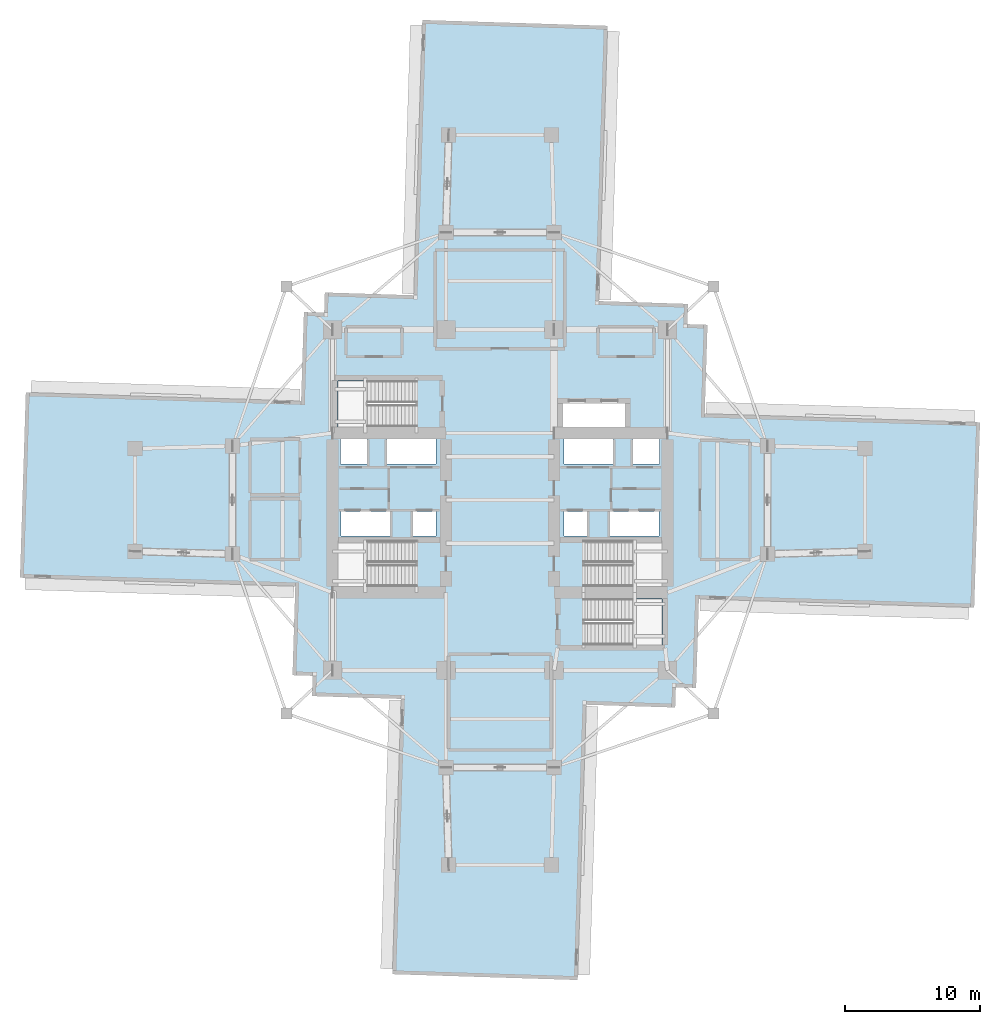
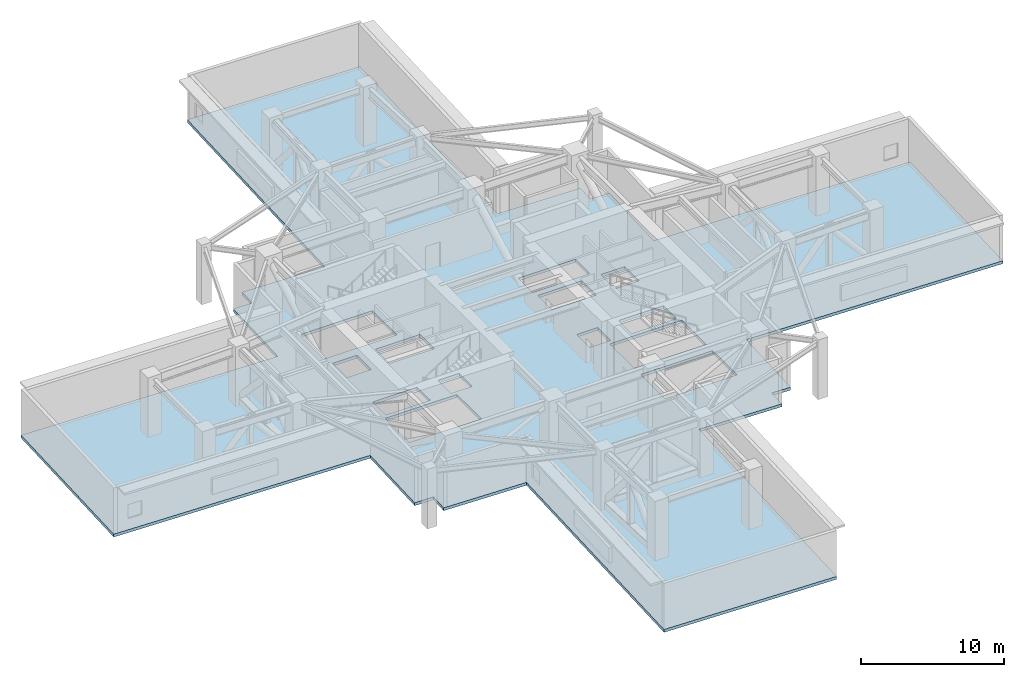
# One storey, part 7 of 17: 1 slab.
"""IFC4 building model written with IfcOpenShell, lengths in metres."""

from ifc_helpers import new_model, si_unit, direction, frame, origin, place, context, subcontext, project, spatial, polyline, outline, extrude, material, layer, layer_set, type_object, element, save


model = new_model("IFC4")

# Units and contexts
model_context = context("Model", 3, precision=1e-05, world=origin(), true_north=direction((0.0, 1.0)))
body_context = subcontext(model_context, "Body", "Model", "MODEL_VIEW")
ifc_project = project(units=[si_unit("LENGTHUNIT", "METRE"), si_unit("AREAUNIT", "SQUARE_METRE"), si_unit("VOLUMEUNIT", "CUBIC_METRE"), si_unit("PLANEANGLEUNIT", "RADIAN"), si_unit("MASSUNIT", "GRAM", prefix="KILO")], contexts=[model_context])

# Site, building, storey
site_placement = place(None, origin())
site = spatial("IfcSite", under=ifc_project, at=site_placement, CompositionType="ELEMENT")
building_placement = place(site_placement, origin())
building = spatial("IfcBuilding", under=site, at=building_placement, Name="Qingluan Cross Belvedere", CompositionType="ELEMENT")
storey_placement = place(building_placement, frame((0.0, 0.0, 95.10009765625)))
storey = spatial("IfcBuildingStorey", under=building, at=storey_placement, Name="L24", CompositionType="ELEMENT", Elevation=95.10009765625)

# Slab
ifc_material = material(Name="Concrete C40", Category="concrete")
ifc_layer = layer(ifc_material, 0.25, Name="FloorSlab_250")
ifc_layer_set = layer_set([ifc_layer], Name="Concrete C40")
slab_type = type_object("IfcSlabType", Name="FloorSlab_250", PredefinedType="FLOOR", material=ifc_layer_set)
slab_placement = place(storey_placement, frame((0.0, 0.0, -0.25)))
element("IfcSlab", 1, at=slab_placement, inside=storey, type_object=slab_type, Name="Structural floor slab L24", PredefinedType="FLOOR", context=body_context, shape_type="SweptSolid", body=[
    extrude(outline(polyline([(5.747314453125, -35.51806640625), (6.38720703125, -15.148193359375), (12.964111328125, -15.354736328125), (13.01123046875, -13.85546875), (14.510498046875, -13.902587890625), (14.71728515625, -7.325927734375), (35.087158203125, -7.966064453125), (35.51806640625, 5.747314453125), (15.148193359375, 6.38720703125), (15.354736328125, 12.964111328125), (13.85546875, 13.01123046875), (13.902587890625, 14.510498046875), (7.325927734375, 14.71728515625), (7.966064453125, 35.087158203125), (-5.747314453125, 35.51806640625), (-6.38720703125, 15.148193359375), (-12.964111328125, 15.354736328125), (-13.01123046875, 13.85546875), (-14.510498046875, 13.902587890625), (-14.71728515625, 7.325927734375), (-35.087158203125, 7.966064453125), (-35.51806640625, -5.747314453125), (-15.148193359375, -6.38720703125), (-15.354736328125, -12.964111328125), (-13.85546875, -13.01123046875), (-13.902587890625, -14.510498046875), (-7.325927734375, -14.71728515625), (-7.966064453125, -35.087158203125), (5.747314453125, -35.51806640625)]), holes=[polyline([(-12.0, -3.0), (-6.179931640625, -3.0), (-6.179931640625, -6.39990234375), (-12.0, -6.39990234375), (-12.0, -3.0)]), polyline([(6.179931640625, -3.0), (12.0, -3.0), (12.0, -6.39990234375), (6.179931640625, -6.39990234375), (6.179931640625, -3.0)]), polyline([(-12.0, 8.820068359375), (-6.179931640625, 8.820068359375), (-6.179931640625, 5.419921875), (-12.0, 5.419921875), (-12.0, 8.820068359375)]), polyline([(6.179931640625, -7.320068359375), (12.0, -7.320068359375), (12.0, -10.719970703125), (6.179931640625, -10.719970703125), (6.179931640625, -7.320068359375)]), polyline([(-11.800048828125, 4.64990234375), (-9.85009765625, 4.64990234375), (-9.85009765625, 2.64990234375), (-11.800048828125, 2.64990234375), (-11.800048828125, 4.64990234375)]), polyline([(-8.35009765625, 4.64990234375), (-4.75, 4.64990234375), (-4.75, 2.64990234375), (-8.35009765625, 2.64990234375), (-8.35009765625, 4.64990234375)]), polyline([(4.75, 4.64990234375), (8.35009765625, 4.64990234375), (8.35009765625, 2.64990234375), (4.75, 2.64990234375), (4.75, 4.64990234375)]), polyline([(9.85009765625, 4.64990234375), (11.800048828125, 4.64990234375), (11.800048828125, 2.64990234375), (9.85009765625, 2.64990234375), (9.85009765625, 4.64990234375)]), polyline([(-11.75, -0.840087890625), (-8.14990234375, -0.840087890625), (-8.14990234375, -2.659912109375), (-11.75, -2.659912109375), (-11.75, -0.840087890625)]), polyline([(-6.449951171875, -0.840087890625), (-4.75, -0.840087890625), (-4.75, -2.659912109375), (-6.449951171875, -2.659912109375), (-6.449951171875, -0.840087890625)]), polyline([(4.75, -0.840087890625), (6.449951171875, -0.840087890625), (6.449951171875, -2.659912109375), (4.75, -2.659912109375), (4.75, -0.840087890625)]), polyline([(8.14990234375, -0.840087890625), (11.75, -0.840087890625), (11.75, -2.659912109375), (8.14990234375, -2.659912109375), (8.14990234375, -0.840087890625)]), polyline([(4.64990234375, 7.14990234375), (9.25, 7.14990234375), (9.25, 5.14990234375), (4.64990234375, 5.14990234375), (4.64990234375, 7.14990234375)])]), origin(), (0.0, 0.0, 1.0), 0.25),
])

save(model, "model.ifc")
